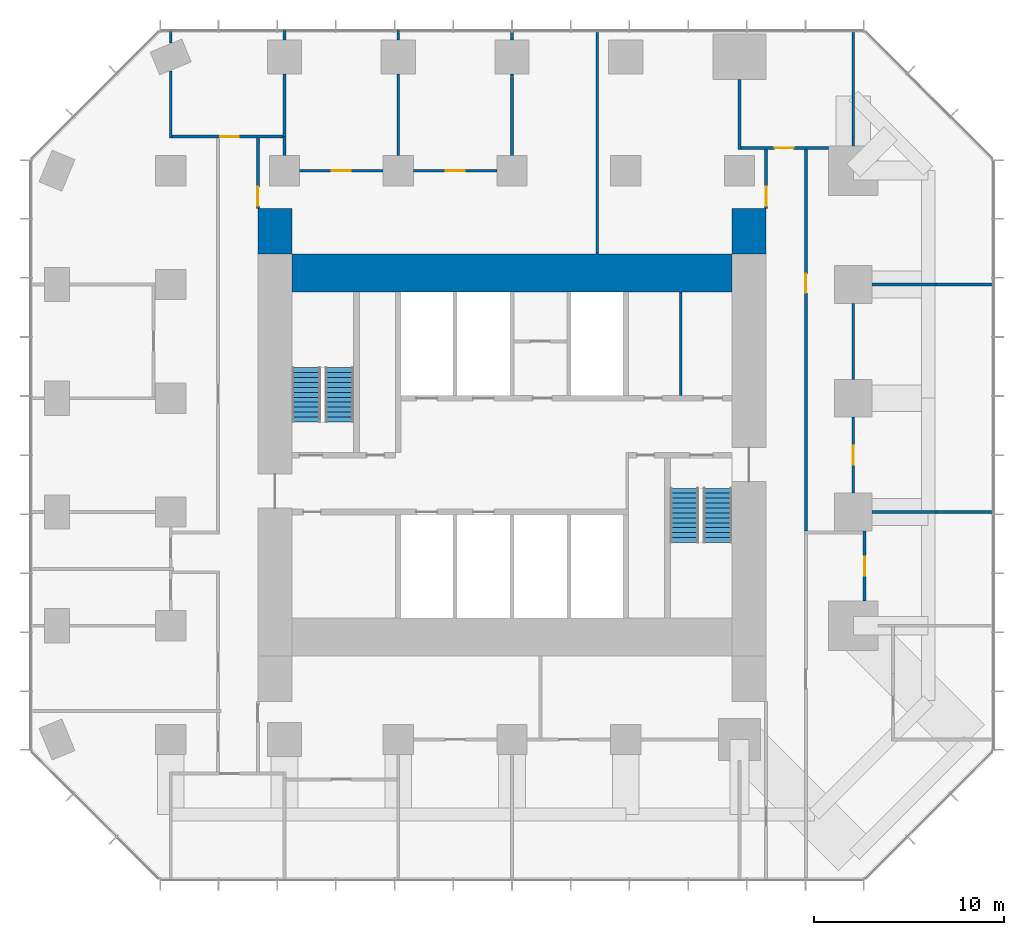
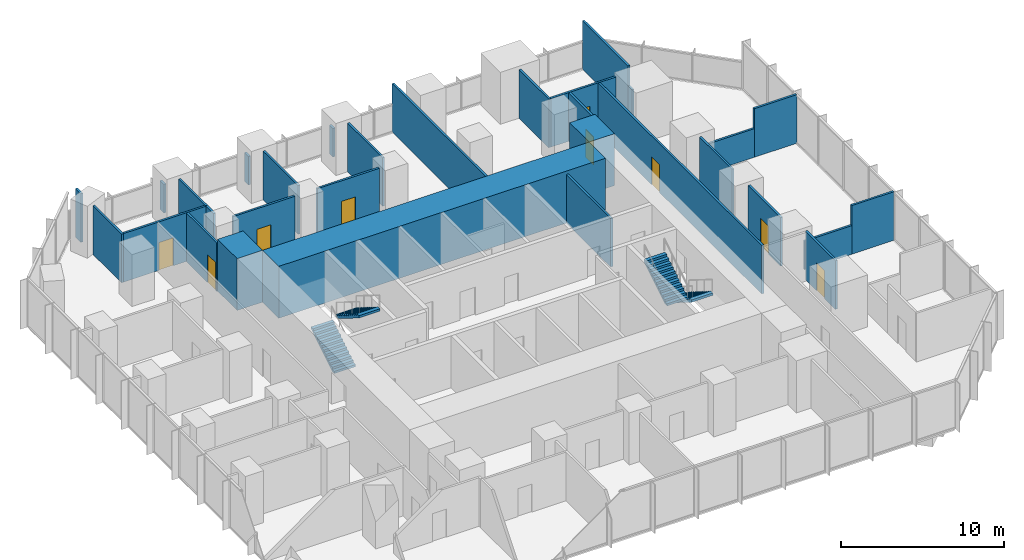
# One storey, part 11 of 12: 31 walls, 9 doors, 4 stair flights, 9 openings, 2 elements without a shape of their own.
"""IFC4 building model written with IfcOpenShell, lengths in metres."""

import ifcopenshell
import ifcopenshell.guid

model = None  # the IFC model being written
_history = None  # IfcOwnerHistory: only IFC2X3 demands one
_inside = {}  # id of a spatial element -> (the spatial element, [elements in it])
_under = {}  # id of a project, library or spatial element -> (it, [spatial elements below it])
_declared = {}  # id of a project -> (the project, [libraries it declares])
_typed = {}  # id of a type object -> (the type object, [elements of that type])
_made_of = {}  # id of a material, layer set ... -> (it, [elements and type objects made of it])


def new_model(schema):
    """Start an empty IFC model of exactly this schema.

    Asked for "IFC4X3", IfcOpenShell would pick the latest addendum, in which some entities
    have other attributes; the version numbers below select the first issue.
    IFC2X3 requires an IfcOwnerHistory on every rooted entity: one is made here for all.
    """
    global model, _history
    if schema == "IFC4X3":
        model = ifcopenshell.file(schema_version=(4, 3, 0, 0))
    else:
        model = ifcopenshell.file(schema=schema)
    _inside.clear()
    _under.clear()
    _declared.clear()
    _typed.clear()
    _made_of.clear()
    _history = None
    if model.schema == "IFC2X3":
        org = make("IfcOrganization", Name="unknown")
        user = make(
            "IfcPersonAndOrganization",
            ThePerson=make("IfcPerson", FamilyName="unknown"),
            TheOrganization=org,
        )
        app = make(
            "IfcApplication",
            ApplicationDeveloper=org,
            Version="unknown",
            ApplicationFullName="unknown",
            ApplicationIdentifier="unknown",
        )
        _history = make(
            "IfcOwnerHistory",
            OwningUser=user,
            OwningApplication=app,
            ChangeAction="ADDED",
            CreationDate=0,
        )
    return model


def make(cls, **values):
    """One entity of the class cls with the attributes given. An attribute that is None is left unset."""
    return model.create_entity(
        cls, **{name: value for name, value in values.items() if value is not None}
    )


def rooted(cls, **values):
    """An entity with a GlobalId (a new one), such as an element, a storey or a relation."""
    return make(cls, GlobalId=ifcopenshell.guid.new(), OwnerHistory=_history, **values)


def si_unit(unit_type, name, prefix=None):
    """IfcSIUnit, for example si_unit("LENGTHUNIT", "METRE", prefix="MILLI")."""
    return make("IfcSIUnit", UnitType=unit_type, Prefix=prefix, Name=name)


def assignment(units):
    """IfcUnitAssignment: the units of a project."""
    return None if units is None else make("IfcUnitAssignment", Units=units)


def point(xyz):
    """IfcCartesianPoint."""
    return None if xyz is None else make("IfcCartesianPoint", Coordinates=xyz)


def direction(xyz):
    """IfcDirection."""
    return None if xyz is None else make("IfcDirection", DirectionRatios=xyz)


def frame(location, z_axis=None, x_axis=None):
    """IfcAxis2Placement3D, a coordinate frame: its origin and axes. An axis left out is left unset."""
    return make(
        "IfcAxis2Placement3D",
        Location=point(location),
        Axis=direction(z_axis),
        RefDirection=direction(x_axis),
    )


def frame_2d(location, x_axis=None):
    """IfcAxis2Placement2D, a coordinate frame in the plane: its origin and x axis."""
    return make(
        "IfcAxis2Placement2D", Location=point(location), RefDirection=direction(x_axis)
    )


def origin():
    """The frame at (0, 0, 0) with its axes left unset."""
    return frame((0.0, 0.0, 0.0))


def place(relative_to, where):
    """IfcLocalPlacement: puts the frame where relative to a parent placement (None: the world)."""
    return make(
        "IfcLocalPlacement", PlacementRelTo=relative_to, RelativePlacement=where
    )


def context(
    kind, dimensions, precision=None, world=None, true_north=None, identifier=None
):
    """IfcGeometricRepresentationContext, for example the 3D "Model" context."""
    return make(
        "IfcGeometricRepresentationContext",
        ContextIdentifier=identifier,
        ContextType=kind,
        CoordinateSpaceDimension=dimensions,
        Precision=precision,
        WorldCoordinateSystem=world,
        TrueNorth=true_north,
    )


def subcontext(parent, identifier, kind, view, scale=None):
    """IfcGeometricRepresentationSubContext, for example "Body" below "Model"."""
    return make(
        "IfcGeometricRepresentationSubContext",
        ContextIdentifier=identifier,
        ContextType=kind,
        ParentContext=parent,
        TargetScale=scale,
        TargetView=view,
    )


def project(units=None, contexts=None):
    """IfcProject with its units and contexts."""
    return rooted(
        "IfcProject",
        Name="project",
        RepresentationContexts=contexts,
        UnitsInContext=assignment(units),
    )


def spatial(cls, under=None, at=None, **own):
    """A site, building, storey or space (cls), placed at a placement, below another one or the project."""
    s = rooted(cls, ObjectPlacement=at, **own)
    if under is not None:
        _under.setdefault(under.id(), (under, []))[1].append(s)
    return s


def polyline(points):
    """IfcPolyline through the points."""
    return make("IfcPolyline", Points=[point(p) for p in points])


def profile(cls, at=None, kind="AREA", **sizes):
    """A parametric profile (cls). Its sizes go by their IFC names, for example OverallWidth=200.0."""
    return make(cls, ProfileType=kind, Position=at, **sizes)


def rectangle(**sizes):
    """IfcRectangleProfileDef."""
    return profile("IfcRectangleProfileDef", **sizes)


def outline(outer, holes=None, kind="AREA"):
    """IfcArbitraryClosedProfileDef: a profile drawn as a closed curve; with holes, ...WithVoids."""
    if holes is None:
        return make("IfcArbitraryClosedProfileDef", ProfileType=kind, OuterCurve=outer)
    return make(
        "IfcArbitraryProfileDefWithVoids",
        ProfileType=kind,
        OuterCurve=outer,
        InnerCurves=holes,
    )


def extrude(swept, where, along, depth):
    """IfcExtrudedAreaSolid: the profile swept, set in the frame where, extruded along a direction by depth."""
    return make(
        "IfcExtrudedAreaSolid",
        SweptArea=swept,
        Position=where,
        ExtrudedDirection=direction(along),
        Depth=depth,
    )


def shape(context_of_items, identifier, shape_type, items):
    """IfcShapeRepresentation: the items that make up one representation, for example the "Body"."""
    return make(
        "IfcShapeRepresentation",
        ContextOfItems=context_of_items,
        RepresentationIdentifier=identifier,
        RepresentationType=shape_type,
        Items=items,
    )


def material(Name=None, Category=None):
    """IfcMaterial."""
    return make("IfcMaterial", Name=Name, Category=Category)


def layer(
    of_material, thickness, ventilated=None, Name=None, Category=None, Priority=None
):
    """IfcMaterialLayer: one layer of a wall or slab, of a material (None: an air gap)."""
    return make(
        "IfcMaterialLayer",
        Material=of_material,
        LayerThickness=thickness,
        IsVentilated=ventilated,
        Name=Name,
        Category=Category,
        Priority=Priority,
    )


def layer_set(layers, Name=None):
    """IfcMaterialLayerSet."""
    return make("IfcMaterialLayerSet", MaterialLayers=layers, LayerSetName=Name)


def made_of(thing, what):
    """Note that an element or type object is made of a material, layer set ...; save() writes the relation."""
    if what is not None:
        _made_of.setdefault(what.id(), (what, []))[1].append(thing)
    return thing


def type_object(cls, material=None, **own):
    """A type object (cls), such as IfcWallType, which elements share."""
    return made_of(rooted(cls, **own), material)


def element(
    cls,
    number,
    at=None,
    inside=None,
    cuts=None,
    type_object=None,
    material=None,
    context=None,
    identifier="Body",
    shape_type=None,
    held_by="IfcProductDefinitionShape",
    body=None,
    shapes=None,
    **own,
):
    """One element of the class cls, such as IfcWall. Its Tag is "e" and its number.

    at: its placement. inside: the storey or other place that contains it. cuts: it is an
    opening in that element (IfcRelVoidsElement). A single representation is given by context,
    identifier, shape_type and body (its items); several are given by shapes. held_by: the class
    of the entity that holds the representations. save() writes the other relations.
    """
    e = rooted(cls, Tag="e%d" % number, ObjectPlacement=at, **own)
    if body is not None:
        shapes = [shape(context, identifier, shape_type, body)]
    if shapes is not None:
        e.Representation = make(held_by, Representations=shapes)
    if inside is not None:
        _inside.setdefault(inside.id(), (inside, []))[1].append(e)
    if cuts is not None:
        rooted(
            "IfcRelVoidsElement", RelatingBuildingElement=cuts, RelatedOpeningElement=e
        )
    if type_object is not None:
        _typed.setdefault(type_object.id(), (type_object, []))[1].append(e)
    return made_of(e, material)


def fill(opening, filler):
    """IfcRelFillsElement: the door or window that sits in an opening."""
    return rooted(
        "IfcRelFillsElement",
        RelatingOpeningElement=opening,
        RelatedBuildingElement=filler,
    )


def aggregate(whole, parts):
    """IfcRelAggregates: a whole, such as a stair, and the parts it consists of."""
    return rooted("IfcRelAggregates", RelatingObject=whole, RelatedObjects=parts)


def save(model, path):
    """Write the relations noted so far, then the file.

    IfcRelAggregates (storeys below a building ...), IfcRelContainedInSpatialStructure (elements
    in a storey), IfcRelDefinesByType, IfcRelAssociatesMaterial and IfcRelDeclares: one each for
    every whole, place, type object, material and project.
    """
    for whole, parts in _under.values():
        aggregate(whole, parts)
    for where, things in _inside.values():
        rooted(
            "IfcRelContainedInSpatialStructure",
            RelatedElements=things,
            RelatingStructure=where,
        )
    for kind, things in _typed.values():
        rooted("IfcRelDefinesByType", RelatedObjects=things, RelatingType=kind)
    for what, things in _made_of.values():
        rooted("IfcRelAssociatesMaterial", RelatedObjects=things, RelatingMaterial=what)
    for by, libraries in _declared.values():
        rooted("IfcRelDeclares", RelatingContext=by, RelatedDefinitions=libraries)
    model.write(path)


model = new_model("IFC4")

# Units and contexts
model_context = context("Model", 3, precision=1e-05, world=origin(), true_north=direction((0.0, 1.0)))
body_context = subcontext(model_context, "Body", "Model", "MODEL_VIEW")
ifc_project = project(units=[si_unit("LENGTHUNIT", "METRE"), si_unit("AREAUNIT", "SQUARE_METRE"), si_unit("VOLUMEUNIT", "CUBIC_METRE"), si_unit("PLANEANGLEUNIT", "RADIAN"), si_unit("MASSUNIT", "GRAM", prefix="KILO")], contexts=[model_context])

# Site, building, storey
site_placement = place(None, origin())
site = spatial("IfcSite", under=ifc_project, at=site_placement, CompositionType="ELEMENT")
building_placement = place(site_placement, origin())
building = spatial("IfcBuilding", under=site, at=building_placement, Name="Highveld Stack Headquarters", CompositionType="ELEMENT")
storey_placement = place(building_placement, frame((0.0, 0.0, 160.10009765625)))
storey = spatial("IfcBuildingStorey", under=building, at=storey_placement, Name="L39", CompositionType="ELEMENT", Elevation=160.10009765625)

# Walls
ifc_material_1 = material(Name="Concrete C60/75", Category="concrete")
ifc_layer_1 = layer(ifc_material_1, 2.0)
ifc_layer_set_1 = layer_set([ifc_layer_1], Name="Concrete C60/75")
wall_type_1 = type_object("IfcWallType", Name="CORE WALL 2000 C60/75", PredefinedType="SHEAR", material=ifc_layer_set_1)
wall_1_placement = place(storey_placement, frame((-5.60009765625, 12.60009765625, 0.0), z_axis=(0.0, 0.0, 1.0), x_axis=(1.0, 0.0, 0.0)))
element("IfcWall", 1, at=wall_1_placement, inside=storey, type_object=wall_type_1, Name="Core wall N L39", PredefinedType="SHEAR", context=body_context, shape_type="SweptSolid", body=[
    extrude(rectangle(XDim=23.2001953125, YDim=2.0, at=frame_2d((11.60009765625, 0.0))), origin(), (0.0, 0.0, 1.0), 3.89990234375),
])
ifc_material_2 = material(Name="Concrete C60/75", Category="concrete")
ifc_layer_2 = layer(ifc_material_2, 1.800048828125)
ifc_layer_set_2 = layer_set([ifc_layer_2], Name="Concrete C60/75")
wall_type_2 = type_object("IfcWallType", Name="CORE WING WALL 1800 C60/75", PredefinedType="SHEAR", material=ifc_layer_set_2)
for number, where, z_axis, x_axis, name in (
    (2, (-6.5, 13.60009765625, 0.0), (0.0, 0.0, 1.0), (0.0, 1.0, 0.0), "Core wing wall WN L39"),
    (3, (18.5, 13.60009765625, 0.0), (0.0, 0.0, 1.0), (0.0, 1.0, 0.0), "Core wing wall EN L39"),
):
    element("IfcWall", number, at=place(storey_placement, frame(where, z_axis=z_axis, x_axis=x_axis)), inside=storey, type_object=wall_type_2, Name=name, PredefinedType="SHEAR", context=body_context, shape_type="SweptSolid", body=[
        extrude(rectangle(XDim=2.39990234375, YDim=1.800048828125, at=frame_2d((1.199951171875, 0.0))), origin(), (0.0, 0.0, 1.0), 3.89990234375),
    ])

# Wall, opening, door
ifc_material_3 = material(Name="Laminated glass in aluminium frame", Category="aluminium")
ifc_layer_3 = layer(ifc_material_3, 0.14990234375)
ifc_layer_set_3 = layer_set([ifc_layer_3], Name="Laminated glass in aluminium frame")
wall_type_3 = type_object("IfcWallType", Name="GLAZED PARTITION 150", PredefinedType="PARTITIONING", material=ifc_layer_set_3)
wall_2_placement = place(storey_placement, frame((24.60009765625, -4.699951171875, 0.0), z_axis=(0.0, 0.0, 1.0), x_axis=(0.0, 1.0, 0.0)))
wall_2 = element("IfcWall", 4, at=wall_2_placement, inside=storey, type_object=wall_type_3, Name="Glazed partition Video conference room L39", PredefinedType="PARTITIONING", context=body_context, shape_type="SweptSolid", body=[
    extrude(rectangle(XDim=3.699951171875, YDim=0.14990234375, at=frame_2d((1.85009765625, 0.0))), origin(), (0.0, 0.0, 1.0), 3.64990234375),
])
opening_1_placement = place(wall_2_placement, frame((1.35009765625, 0.0, 0.0)))
opening_1 = element("IfcOpeningElement", 5, at=opening_1_placement, cuts=wall_2, Name="Opening L39-20", PredefinedType="OPENING", context=body_context, shape_type="SweptSolid", body=[
    extrude(rectangle(XDim=1.0, YDim=2.10009765625, at=frame_2d((0.5, 1.050048828125))), frame((0.0, 0.0849609375, 0.0), z_axis=(0.0, -1.0, 0.0), x_axis=(1.0, 0.0, 0.0)), (0.0, 0.0, 1.0), 0.169921875),
])
ifc_material_4 = material(Name="Timber door, oiled ash", Category="wood")
door_type = type_object("IfcDoorType", Name="ROOM DOOR D6 1000x2100", OperationType="SINGLE_SWING_LEFT", PredefinedType="DOOR", material=ifc_material_4)
door_1_placement = place(opening_1_placement, origin())
door_1 = element("IfcDoor", 6, at=door_1_placement, inside=storey, type_object=door_type, Name="Video conference room door 1 L39", OperationType="SINGLE_SWING_LEFT", OverallHeight=2.10009765625, OverallWidth=1.0, PredefinedType="DOOR", context=body_context, shape_type="SweptSolid", body=[
    extrude(rectangle(XDim=1.0, YDim=2.10009765625, at=frame_2d((0.5, 1.050048828125))), frame((0.0, 0.02490234375, 0.0), z_axis=(0.0, -1.0, 0.0), x_axis=(1.0, 0.0, 0.0)), (0.0, 0.0, 1.0), 0.050048828125),
])
fill(opening_1, door_1)

# Walls
ifc_material_5 = material(Name="Gypsum plasterboard on steel studs", Category="steel")
ifc_layer_4 = layer(ifc_material_5, 0.14990234375)
ifc_layer_set_4 = layer_set([ifc_layer_4], Name="Gypsum plasterboard on steel studs")
wall_type_4 = type_object("IfcWallType", Name="PARTITION 150 PLASTERBOARD", PredefinedType="PARTITIONING", material=ifc_layer_set_4)
wall_3_placement = place(storey_placement, frame((25.0, 0.0, 0.0), z_axis=(0.0, 0.0, 1.0), x_axis=(1.0, 0.0, 0.0)))
element("IfcWall", 7, at=wall_3_placement, inside=storey, type_object=wall_type_4, Name="Partition Team office / Video conference room L39", PredefinedType="PARTITIONING", context=body_context, shape_type="SweptSolid", body=[
    extrude(rectangle(XDim=3.360107421875, YDim=0.14990234375, at=frame_2d((1.68017578125, 0.0))), origin(), (0.0, 0.0, 1.0), 2.14990234375),
])
wall_4_placement = place(storey_placement, frame((28.360107421875, 0.0, 0.0), z_axis=(0.0, 0.0, 1.0), x_axis=(1.0, 0.0, 0.0)))
element("IfcWall", 8, at=wall_4_placement, inside=storey, type_object=wall_type_4, Name="Partition Team office / Video conference room L39", PredefinedType="PARTITIONING", context=body_context, shape_type="SweptSolid", body=[
    extrude(rectangle(XDim=2.989990234375, YDim=0.14990234375, at=frame_2d((1.4951171875, 0.0))), origin(), (0.0, 0.0, 1.0), 3.64990234375),
])
wall_5_placement = place(storey_placement, frame((25.0, 12.0, 0.0), z_axis=(0.0, 0.0, 1.0), x_axis=(1.0, 0.0, 0.0)))
element("IfcWall", 9, at=wall_5_placement, inside=storey, type_object=wall_type_4, Name="Partition Team office L39", PredefinedType="PARTITIONING", context=body_context, shape_type="SweptSolid", body=[
    extrude(rectangle(XDim=3.360107421875, YDim=0.14990234375, at=frame_2d((1.68017578125, 0.0))), origin(), (0.0, 0.0, 1.0), 2.14990234375),
])
wall_6_placement = place(storey_placement, frame((28.360107421875, 12.0, 0.0), z_axis=(0.0, 0.0, 1.0), x_axis=(1.0, 0.0, 0.0)))
element("IfcWall", 10, at=wall_6_placement, inside=storey, type_object=wall_type_4, Name="Partition Team office L39", PredefinedType="PARTITIONING", context=body_context, shape_type="SweptSolid", body=[
    extrude(rectangle(XDim=3.039794921875, YDim=0.14990234375, at=frame_2d((1.52001953125, 0.0))), origin(), (0.0, 0.0, 1.0), 3.64990234375),
])

# Wall, opening, door
wall_7_placement = place(storey_placement, frame((-5.199951171875, 18.0, 0.0), z_axis=(0.0, 0.0, 1.0), x_axis=(1.0, 0.0, 0.0)))
wall_7 = element("IfcWall", 11, at=wall_7_placement, inside=storey, type_object=wall_type_4, Name="Partition Office L39", PredefinedType="PARTITIONING", context=body_context, shape_type="SweptSolid", body=[
    extrude(rectangle(XDim=4.39990234375, YDim=0.14990234375, at=frame_2d((2.199951171875, 0.0))), origin(), (0.0, 0.0, 1.0), 3.64990234375),
])
opening_2_placement = place(wall_7_placement, frame((1.699951171875, 0.0, 0.0)))
opening_2 = element("IfcOpeningElement", 12, at=opening_2_placement, cuts=wall_7, Name="Opening L39-23", PredefinedType="OPENING", context=body_context, shape_type="SweptSolid", body=[
    extrude(rectangle(XDim=1.0, YDim=2.10009765625, at=frame_2d((0.5, 1.050048828125))), frame((0.0, 0.0849609375, 0.0), z_axis=(0.0, -1.0, 0.0), x_axis=(1.0, 0.0, 0.0)), (0.0, 0.0, 1.0), 0.169921875),
])
door_2_placement = place(opening_2_placement, origin())
door_2 = element("IfcDoor", 13, at=door_2_placement, inside=storey, type_object=door_type, Name="Office door 1 L39", OperationType="SINGLE_SWING_LEFT", OverallHeight=2.10009765625, OverallWidth=1.0, PredefinedType="DOOR", context=body_context, shape_type="SweptSolid", body=[
    extrude(rectangle(XDim=1.0, YDim=2.10009765625, at=frame_2d((0.5, 1.050048828125))), frame((0.0, 0.02490234375, 0.0), z_axis=(0.0, -1.0, 0.0), x_axis=(1.0, 0.0, 0.0)), (0.0, 0.0, 1.0), 0.050048828125),
])
fill(opening_2, door_2)

wall_8_placement = place(storey_placement, frame((0.800048828125, 18.0, 0.0), z_axis=(0.0, 0.0, 1.0), x_axis=(1.0, 0.0, 0.0)))
wall_8 = element("IfcWall", 14, at=wall_8_placement, inside=storey, type_object=wall_type_4, Name="Partition Office L39", PredefinedType="PARTITIONING", context=body_context, shape_type="SweptSolid", body=[
    extrude(rectangle(XDim=4.39990234375, YDim=0.14990234375, at=frame_2d((2.199951171875, 0.0))), origin(), (0.0, 0.0, 1.0), 3.64990234375),
])
opening_3_placement = place(wall_8_placement, frame((1.699951171875, 0.0, 0.0)))
opening_3 = element("IfcOpeningElement", 15, at=opening_3_placement, cuts=wall_8, Name="Opening L39-24", PredefinedType="OPENING", context=body_context, shape_type="SweptSolid", body=[
    extrude(rectangle(XDim=1.0, YDim=2.10009765625, at=frame_2d((0.5, 1.050048828125))), frame((0.0, 0.0849609375, 0.0), z_axis=(0.0, -1.0, 0.0), x_axis=(1.0, 0.0, 0.0)), (0.0, 0.0, 1.0), 0.169921875),
])
door_3_placement = place(opening_3_placement, origin())
door_3 = element("IfcDoor", 16, at=door_3_placement, inside=storey, type_object=door_type, Name="Office door 1 L39", OperationType="SINGLE_SWING_RIGHT", OverallHeight=2.10009765625, OverallWidth=1.0, PredefinedType="DOOR", context=body_context, shape_type="SweptSolid", body=[
    extrude(rectangle(XDim=1.0, YDim=2.10009765625, at=frame_2d((0.5, 1.050048828125))), frame((0.0, 0.02490234375, 0.0), z_axis=(0.0, -1.0, 0.0), x_axis=(1.0, 0.0, 0.0)), (0.0, 0.0, 1.0), 0.050048828125),
])
fill(opening_3, door_3)

wall_9_placement = place(storey_placement, frame((18.074951171875, 19.199951171875, 0.0), z_axis=(0.0, 0.0, 1.0), x_axis=(1.0, 0.0, 0.0)))
wall_9 = element("IfcWall", 17, at=wall_9_placement, inside=storey, type_object=wall_type_4, Name="Partition Tea kitchen L39", PredefinedType="PARTITIONING", context=body_context, shape_type="SweptSolid", body=[
    extrude(rectangle(XDim=4.625, YDim=0.14990234375, at=frame_2d((2.3125, 0.0))), origin(), (0.0, 0.0, 1.0), 3.64990234375),
])
opening_4_placement = place(wall_9_placement, frame((1.77490234375, 0.0, 0.0)))
opening_4 = element("IfcOpeningElement", 18, at=opening_4_placement, cuts=wall_9, Name="Opening L39-25", PredefinedType="OPENING", context=body_context, shape_type="SweptSolid", body=[
    extrude(rectangle(XDim=1.0, YDim=2.10009765625, at=frame_2d((0.5, 1.050048828125))), frame((0.0, 0.0849609375, 0.0), z_axis=(0.0, -1.0, 0.0), x_axis=(1.0, 0.0, 0.0)), (0.0, 0.0, 1.0), 0.169921875),
])
door_4_placement = place(opening_4_placement, origin())
door_4 = element("IfcDoor", 19, at=door_4_placement, inside=storey, type_object=door_type, Name="Tea kitchen door 1 L39", OperationType="SINGLE_SWING_LEFT", OverallHeight=2.10009765625, OverallWidth=1.0, PredefinedType="DOOR", context=body_context, shape_type="SweptSolid", body=[
    extrude(rectangle(XDim=1.0, YDim=2.10009765625, at=frame_2d((0.5, 1.050048828125))), frame((0.0, 0.02490234375, 0.0), z_axis=(0.0, -1.0, 0.0), x_axis=(1.0, 0.0, 0.0)), (0.0, 0.0, 1.0), 0.050048828125),
])
fill(opening_4, door_4)

wall_10_placement = place(storey_placement, frame((-11.925048828125, 19.800048828125, 0.0), z_axis=(0.0, 0.0, 1.0), x_axis=(1.0, 0.0, 0.0)))
wall_10 = element("IfcWall", 20, at=wall_10_placement, inside=storey, type_object=wall_type_4, Name="Partition Print room L39", PredefinedType="PARTITIONING", context=body_context, shape_type="SweptSolid", body=[
    extrude(rectangle(XDim=5.85009765625, YDim=0.14990234375, at=frame_2d((2.925048828125, 0.0))), origin(), (0.0, 0.0, 1.0), 3.64990234375),
])
opening_5_placement = place(wall_10_placement, frame((2.52490234375, 0.0, 0.0)))
opening_5 = element("IfcOpeningElement", 21, at=opening_5_placement, cuts=wall_10, Name="Opening L39-22", PredefinedType="OPENING", context=body_context, shape_type="SweptSolid", body=[
    extrude(rectangle(XDim=1.0, YDim=2.10009765625, at=frame_2d((0.5, 1.050048828125))), frame((0.0, 0.0849609375, 0.0), z_axis=(0.0, -1.0, 0.0), x_axis=(1.0, 0.0, 0.0)), (0.0, 0.0, 1.0), 0.169921875),
])
door_5_placement = place(opening_5_placement, origin())
door_5 = element("IfcDoor", 22, at=door_5_placement, inside=storey, type_object=door_type, Name="Print room door 1 L39", OperationType="SINGLE_SWING_RIGHT", OverallHeight=2.10009765625, OverallWidth=1.0, PredefinedType="DOOR", context=body_context, shape_type="SweptSolid", body=[
    extrude(rectangle(XDim=1.0, YDim=2.10009765625, at=frame_2d((0.5, 1.050048828125))), frame((0.0, 0.02490234375, 0.0), z_axis=(0.0, -1.0, 0.0), x_axis=(1.0, 0.0, 0.0)), (0.0, 0.0, 1.0), 0.050048828125),
])
fill(opening_5, door_5)

# Walls
wall_11_placement = place(storey_placement, frame((-12.0, 19.72509765625, 0.0), z_axis=(0.0, 0.0, 1.0), x_axis=(0.0, 1.0, 0.0)))
element("IfcWall", 23, at=wall_11_placement, inside=storey, type_object=wall_type_4, Name="Partition Print room L39", PredefinedType="PARTITIONING", context=body_context, shape_type="SweptSolid", body=[
    extrude(rectangle(XDim=3.540283203125, YDim=0.14990234375, at=frame_2d((1.77001953125, 0.0))), origin(), (0.0, 0.0, 1.0), 3.64990234375),
])
wall_12_placement = place(storey_placement, frame((-12.0, 24.734619140625, 0.0), z_axis=(0.0, 0.0, 1.0), x_axis=(0.0, 1.0, 0.0)))
element("IfcWall", 24, at=wall_12_placement, inside=storey, type_object=wall_type_4, Name="Partition Print room L39", PredefinedType="PARTITIONING", context=body_context, shape_type="SweptSolid", body=[
    extrude(rectangle(XDim=0.665283203125, YDim=0.14990234375, at=frame_2d((0.33251953125, 0.0))), origin(), (0.0, 0.0, 1.0), 3.64990234375),
])
wall_13_placement = place(storey_placement, frame((-6.0, 18.800048828125, 0.0), z_axis=(0.0, 0.0, 1.0), x_axis=(0.0, 1.0, 0.0)))
element("IfcWall", 25, at=wall_13_placement, inside=storey, type_object=wall_type_4, Name="Partition Office L39", PredefinedType="PARTITIONING", context=body_context, shape_type="SweptSolid", body=[
    extrude(rectangle(XDim=1.0, YDim=0.14990234375, at=frame_2d((0.5, 0.0))), origin(), (0.0, 0.0, 1.0), 3.64990234375),
])
wall_14_placement = place(storey_placement, frame((-6.0, 19.800048828125, 0.0), z_axis=(0.0, 0.0, 1.0), x_axis=(0.0, 1.0, 0.0)))
element("IfcWall", 26, at=wall_14_placement, inside=storey, type_object=wall_type_4, Name="Partition Office / Print room L39", PredefinedType="PARTITIONING", context=body_context, shape_type="SweptSolid", body=[
    extrude(rectangle(XDim=3.300048828125, YDim=0.14990234375, at=frame_2d((1.64990234375, 0.0))), origin(), (0.0, 0.0, 1.0), 3.64990234375),
])
wall_15_placement = place(storey_placement, frame((-6.0, 24.89990234375, 0.0), z_axis=(0.0, 0.0, 1.0), x_axis=(0.0, 1.0, 0.0)))
element("IfcWall", 27, at=wall_15_placement, inside=storey, type_object=wall_type_4, Name="Partition Office / Print room L39", PredefinedType="PARTITIONING", context=body_context, shape_type="SweptSolid", body=[
    extrude(rectangle(XDim=0.5, YDim=0.14990234375, at=frame_2d((0.25, 0.0))), origin(), (0.0, 0.0, 1.0), 2.14990234375),
])
wall_16_placement = place(storey_placement, frame((0.0, 18.800048828125, 0.0), z_axis=(0.0, 0.0, 1.0), x_axis=(0.0, 1.0, 0.0)))
element("IfcWall", 28, at=wall_16_placement, inside=storey, type_object=wall_type_4, Name="Partition Office L39", PredefinedType="PARTITIONING", context=body_context, shape_type="SweptSolid", body=[
    extrude(rectangle(XDim=4.300048828125, YDim=0.14990234375, at=frame_2d((2.14990234375, 0.0))), origin(), (0.0, 0.0, 1.0), 3.64990234375),
])
wall_17_placement = place(storey_placement, frame((0.0, 24.89990234375, 0.0), z_axis=(0.0, 0.0, 1.0), x_axis=(0.0, 1.0, 0.0)))
element("IfcWall", 29, at=wall_17_placement, inside=storey, type_object=wall_type_4, Name="Partition Office L39", PredefinedType="PARTITIONING", context=body_context, shape_type="SweptSolid", body=[
    extrude(rectangle(XDim=0.5, YDim=0.14990234375, at=frame_2d((0.25, 0.0))), origin(), (0.0, 0.0, 1.0), 2.14990234375),
])
wall_18_placement = place(storey_placement, frame((6.0, 18.800048828125, 0.0), z_axis=(0.0, 0.0, 1.0), x_axis=(0.0, 1.0, 0.0)))
element("IfcWall", 30, at=wall_18_placement, inside=storey, type_object=wall_type_4, Name="Partition Office L39", PredefinedType="PARTITIONING", context=body_context, shape_type="SweptSolid", body=[
    extrude(rectangle(XDim=4.300048828125, YDim=0.14990234375, at=frame_2d((2.14990234375, 0.0))), origin(), (0.0, 0.0, 1.0), 3.64990234375),
])
wall_19_placement = place(storey_placement, frame((6.0, 24.89990234375, 0.0), z_axis=(0.0, 0.0, 1.0), x_axis=(0.0, 1.0, 0.0)))
element("IfcWall", 31, at=wall_19_placement, inside=storey, type_object=wall_type_4, Name="Partition Office L39", PredefinedType="PARTITIONING", context=body_context, shape_type="SweptSolid", body=[
    extrude(rectangle(XDim=0.4501953125, YDim=0.14990234375, at=frame_2d((0.22509765625, 0.0))), origin(), (0.0, 0.0, 1.0), 2.14990234375),
])
wall_20_placement = place(storey_placement, frame((18.0, 19.125, 0.0), z_axis=(0.0, 0.0, 1.0), x_axis=(0.0, 1.0, 0.0)))
element("IfcWall", 32, at=wall_20_placement, inside=storey, type_object=wall_type_4, Name="Partition Tea kitchen L39", PredefinedType="PARTITIONING", context=body_context, shape_type="SweptSolid", body=[
    extrude(rectangle(XDim=3.675048828125, YDim=0.14990234375, at=frame_2d((1.83740234375, 0.0))), origin(), (0.0, 0.0, 1.0), 3.64990234375),
])

# Wall, opening, door
wall_21_placement = place(storey_placement, frame((24.0, 1.0, 0.0), z_axis=(0.0, 0.0, 1.0), x_axis=(0.0, 1.0, 0.0)))
wall_21 = element("IfcWall", 33, at=wall_21_placement, inside=storey, type_object=wall_type_4, Name="Partition Team office L39", PredefinedType="PARTITIONING", context=body_context, shape_type="SweptSolid", body=[
    extrude(rectangle(XDim=4.0, YDim=0.14990234375, at=frame_2d((2.0, 0.0))), origin(), (0.0, 0.0, 1.0), 3.64990234375),
])
opening_6_placement = place(wall_21_placement, frame((1.5, 0.0, 0.0)))
opening_6 = element("IfcOpeningElement", 34, at=opening_6_placement, cuts=wall_21, Name="Opening L39-21", PredefinedType="OPENING", context=body_context, shape_type="SweptSolid", body=[
    extrude(rectangle(XDim=1.0, YDim=2.10009765625, at=frame_2d((0.5, 1.050048828125))), frame((0.0, 0.0849609375, 0.0), z_axis=(0.0, -1.0, 0.0), x_axis=(1.0, 0.0, 0.0)), (0.0, 0.0, 1.0), 0.169921875),
])
door_6_placement = place(opening_6_placement, origin())
door_6 = element("IfcDoor", 35, at=door_6_placement, inside=storey, type_object=door_type, Name="Team office door 1 L39", OperationType="SINGLE_SWING_LEFT", OverallHeight=2.10009765625, OverallWidth=1.0, PredefinedType="DOOR", context=body_context, shape_type="SweptSolid", body=[
    extrude(rectangle(XDim=1.0, YDim=2.10009765625, at=frame_2d((0.5, 1.050048828125))), frame((0.0, 0.02490234375, 0.0), z_axis=(0.0, -1.0, 0.0), x_axis=(1.0, 0.0, 0.0)), (0.0, 0.0, 1.0), 0.050048828125),
])
fill(opening_6, door_6)

# Walls
wall_22_placement = place(storey_placement, frame((24.0, 7.0, 0.0), z_axis=(0.0, 0.0, 1.0), x_axis=(0.0, 1.0, 0.0)))
element("IfcWall", 36, at=wall_22_placement, inside=storey, type_object=wall_type_4, Name="Partition Team office L39", PredefinedType="PARTITIONING", context=body_context, shape_type="SweptSolid", body=[
    extrude(rectangle(XDim=4.0, YDim=0.14990234375, at=frame_2d((2.0, 0.0))), origin(), (0.0, 0.0, 1.0), 3.64990234375),
])
wall_23_placement = place(storey_placement, frame((24.0, 19.300048828125, 0.0), z_axis=(0.0, 0.0, 1.0), x_axis=(0.0, 1.0, 0.0)))
element("IfcWall", 37, at=wall_23_placement, inside=storey, type_object=wall_type_4, Name="Partition Tea kitchen L39", PredefinedType="PARTITIONING", context=body_context, shape_type="SweptSolid", body=[
    extrude(rectangle(XDim=0.491943359375, YDim=0.14990234375, at=frame_2d((0.24609375, 0.0))), origin(), (0.0, 0.0, 1.0), 2.14990234375),
])
wall_24_placement = place(storey_placement, frame((24.0, 19.7919921875, 0.0), z_axis=(0.0, 0.0, 1.0), x_axis=(0.0, 1.0, 0.0)))
element("IfcWall", 38, at=wall_24_placement, inside=storey, type_object=wall_type_4, Name="Partition Tea kitchen L39", PredefinedType="PARTITIONING", context=body_context, shape_type="SweptSolid", body=[
    extrude(rectangle(XDim=5.597412109375, YDim=0.14990234375, at=frame_2d((2.798828125, 0.0))), origin(), (0.0, 0.0, 1.0), 3.64990234375),
])

# Wall, opening, door
wall_25_placement = place(storey_placement, frame((-7.39990234375, 16.0, 0.0), z_axis=(0.0, 0.0, 1.0), x_axis=(0.0, 1.0, 0.0)))
wall_25 = element("IfcWall", 39, at=wall_25_placement, inside=storey, type_object=wall_type_4, Name="Partition office neighbourhood L39", PredefinedType="PARTITIONING", context=body_context, shape_type="SweptSolid", body=[
    extrude(rectangle(XDim=3.72509765625, YDim=0.14990234375, at=frame_2d((1.862548828125, 0.0))), origin(), (0.0, 0.0, 1.0), 3.64990234375),
])
opening_7_placement = place(wall_25_placement, frame((0.14990234375, 0.0, 0.0)))
opening_7 = element("IfcOpeningElement", 40, at=opening_7_placement, cuts=wall_25, Name="Opening L39-32", PredefinedType="OPENING", context=body_context, shape_type="SweptSolid", body=[
    extrude(rectangle(XDim=1.0, YDim=2.10009765625, at=frame_2d((0.5, 1.050048828125))), frame((0.0, 0.0849609375, 0.0), z_axis=(0.0, -1.0, 0.0), x_axis=(1.0, 0.0, 0.0)), (0.0, 0.0, 1.0), 0.169921875),
])
door_7_placement = place(opening_7_placement, origin())
door_7 = element("IfcDoor", 41, at=door_7_placement, inside=storey, type_object=door_type, Name="Office neighbourhood door L39", OperationType="SINGLE_SWING_LEFT", OverallHeight=2.10009765625, OverallWidth=1.0, PredefinedType="DOOR", context=body_context, shape_type="SweptSolid", body=[
    extrude(rectangle(XDim=1.0, YDim=2.10009765625, at=frame_2d((0.5, 1.050048828125))), frame((0.0, 0.02490234375, 0.0), z_axis=(0.0, -1.0, 0.0), x_axis=(1.0, 0.0, 0.0)), (0.0, 0.0, 1.0), 0.050048828125),
])
fill(opening_7, door_7)

# Wall
wall_26_placement = place(storey_placement, frame((10.5, 13.60009765625, 0.0), z_axis=(0.0, 0.0, 1.0), x_axis=(0.0, 1.0, 0.0)))
element("IfcWall", 42, at=wall_26_placement, inside=storey, type_object=wall_type_4, Name="Partition office neighbourhood L39", PredefinedType="PARTITIONING", context=body_context, shape_type="SweptSolid", body=[
    extrude(rectangle(XDim=11.7998046875, YDim=0.14990234375, at=frame_2d((5.89990234375, 0.0))), origin(), (0.0, 0.0, 1.0), 3.64990234375),
])

# Wall, opening, door
wall_27_placement = place(storey_placement, frame((19.39990234375, 16.0, 0.0), z_axis=(0.0, 0.0, 1.0), x_axis=(0.0, 1.0, 0.0)))
wall_27 = element("IfcWall", 43, at=wall_27_placement, inside=storey, type_object=wall_type_4, Name="Partition office neighbourhood L39", PredefinedType="PARTITIONING", context=body_context, shape_type="SweptSolid", body=[
    extrude(rectangle(XDim=3.125, YDim=0.14990234375, at=frame_2d((1.5625, 0.0))), origin(), (0.0, 0.0, 1.0), 3.64990234375),
])
opening_8_placement = place(wall_27_placement, frame((0.14990234375, 0.0, 0.0)))
opening_8 = element("IfcOpeningElement", 44, at=opening_8_placement, cuts=wall_27, Name="Opening L39-33", PredefinedType="OPENING", context=body_context, shape_type="SweptSolid", body=[
    extrude(rectangle(XDim=1.0, YDim=2.10009765625, at=frame_2d((0.5, 1.050048828125))), frame((0.0, 0.0849609375, 0.0), z_axis=(0.0, -1.0, 0.0), x_axis=(1.0, 0.0, 0.0)), (0.0, 0.0, 1.0), 0.169921875),
])
door_8_placement = place(opening_8_placement, origin())
door_8 = element("IfcDoor", 45, at=door_8_placement, inside=storey, type_object=door_type, Name="Office neighbourhood door L39", OperationType="SINGLE_SWING_LEFT", OverallHeight=2.10009765625, OverallWidth=1.0, PredefinedType="DOOR", context=body_context, shape_type="SweptSolid", body=[
    extrude(rectangle(XDim=1.0, YDim=2.10009765625, at=frame_2d((0.5, 1.050048828125))), frame((0.0, 0.02490234375, 0.0), z_axis=(0.0, -1.0, 0.0), x_axis=(1.0, 0.0, 0.0)), (0.0, 0.0, 1.0), 0.050048828125),
])
fill(opening_8, door_8)

wall_28_placement = place(storey_placement, frame((21.5, -1.0, 0.0), z_axis=(0.0, 0.0, 1.0), x_axis=(0.0, 1.0, 0.0)))
wall_28 = element("IfcWall", 46, at=wall_28_placement, inside=storey, type_object=wall_type_4, Name="Partition office neighbourhood L39", PredefinedType="PARTITIONING", context=body_context, shape_type="SweptSolid", body=[
    extrude(rectangle(XDim=20.125, YDim=0.14990234375, at=frame_2d((10.0625, 0.0))), origin(), (0.0, 0.0, 1.0), 3.64990234375),
])
opening_9_placement = place(wall_28_placement, frame((12.554931640625, 0.0, 0.0)))
opening_9 = element("IfcOpeningElement", 47, at=opening_9_placement, cuts=wall_28, Name="Opening L39-31", PredefinedType="OPENING", context=body_context, shape_type="SweptSolid", body=[
    extrude(rectangle(XDim=1.0, YDim=2.10009765625, at=frame_2d((0.5, 1.050048828125))), frame((0.0, 0.0849609375, 0.0), z_axis=(0.0, -1.0, 0.0), x_axis=(1.0, 0.0, 0.0)), (0.0, 0.0, 1.0), 0.169921875),
])
door_9_placement = place(opening_9_placement, origin())
door_9 = element("IfcDoor", 48, at=door_9_placement, inside=storey, type_object=door_type, Name="Office neighbourhood door L39", OperationType="SINGLE_SWING_RIGHT", OverallHeight=2.10009765625, OverallWidth=1.0, PredefinedType="DOOR", context=body_context, shape_type="SweptSolid", body=[
    extrude(rectangle(XDim=1.0, YDim=2.10009765625, at=frame_2d((0.5, 1.050048828125))), frame((0.0, 0.02490234375, 0.0), z_axis=(0.0, -1.0, 0.0), x_axis=(1.0, 0.0, 0.0)), (0.0, 0.0, 1.0), 0.050048828125),
])
fill(opening_9, door_9)

# Wall
ifc_material_6 = material(Name="Concrete blockwork, tiled", Category="masonry")
ifc_layer_5 = layer(ifc_material_6, 0.14990234375)
ifc_layer_set_5 = layer_set([ifc_layer_5], Name="Concrete blockwork, tiled")
wall_type_5 = type_object("IfcWallType", Name="WC PARTITION 150", PredefinedType="PLUMBINGWALL", material=ifc_layer_set_5)
wall_29_placement = place(storey_placement, frame((14.89990234375, 6.14990234375, 0.0), z_axis=(0.0, 0.0, 1.0), x_axis=(0.0, 1.0, 0.0)))
element("IfcWall", 49, at=wall_29_placement, inside=storey, type_object=wall_type_5, Name="Toilet partition L39", PredefinedType="PLUMBINGWALL", context=body_context, shape_type="SweptSolid", body=[
    extrude(rectangle(XDim=5.4501953125, YDim=0.14990234375, at=frame_2d((2.72509765625, 0.0))), origin(), (0.0, 0.0, 1.0), 3.64990234375),
])

# Stair, stair flights
ifc_material_7 = material(Name="Concrete C40/50, precast", Category="concrete")
stair_type_1 = type_object("IfcStairType", Name="STAIR S1 HALF TURN 1500", PredefinedType="HALF_TURN_STAIR", material=ifc_material_7)
stair_1_placement = place(storey_placement, origin())
stair_1 = element("IfcStair", 50, at=stair_1_placement, inside=storey, type_object=stair_type_1, Name="Stair S1 L39", PredefinedType="HALF_TURN_STAIR")
ifc_material_8 = material(Name="Concrete C40/50, precast", Category="concrete")
stair_flight_type = type_object("IfcStairFlightType", Name="STAIR FLIGHT 1500 PRECAST", PredefinedType="STRAIGHT", material=ifc_material_8)
stair_flight_1_placement = place(storey_placement, frame((-4.85009765625, 4.75, 0.0), z_axis=(0.0, 0.0, 1.0), x_axis=(0.0, 1.0, 0.0)))
stair_flight_1 = element("IfcStairFlight", 51, at=stair_flight_1_placement, type_object=stair_flight_type, Name="S1 flight 1", NumberOfRisers=12, NumberOfTreads=11, PredefinedType="STRAIGHT", RiserHeight=0.1625, TreadLength=0.26, context=body_context, shape_type="SweptSolid", body=[
    extrude(outline(polyline([(0.0, 0.0), (0.0, 0.16259765625), (0.260009765625, 0.16259765625), (0.260009765625, 0.324951171875), (0.52001953125, 0.324951171875), (0.52001953125, 0.487548828125), (0.780029296875, 0.487548828125), (0.780029296875, 0.64990234375), (1.0400390625, 0.64990234375), (1.0400390625, 0.8125), (1.300048828125, 0.8125), (1.300048828125, 0.97509765625), (1.56005859375, 0.97509765625), (1.56005859375, 1.137451171875), (1.820068359375, 1.137451171875), (1.820068359375, 1.300048828125), (2.080078125, 1.300048828125), (2.080078125, 1.46240234375), (2.340087890625, 1.46240234375), (2.340087890625, 1.625), (2.60009765625, 1.625), (2.60009765625, 1.78759765625), (2.860107421875, 1.78759765625), (2.860107421875, 1.949951171875), (2.860107421875, 1.61083984375), (0.28271484375, 0.0), (0.0, 0.0)])), frame((0.0, 0.75, 0.0), z_axis=(0.0, -1.0, 0.0), x_axis=(1.0, 0.0, 0.0)), (0.0, 0.0, 1.0), 1.5),
])
stair_flight_2_placement = place(storey_placement, frame((-3.10009765625, 7.610107421875, 1.949951171875), z_axis=(0.0, 0.0, 1.0), x_axis=(0.0, -1.0, 0.0)))
stair_flight_2 = element("IfcStairFlight", 52, at=stair_flight_2_placement, type_object=stair_flight_type, Name="S1 flight 2", NumberOfRisers=12, NumberOfTreads=11, PredefinedType="STRAIGHT", RiserHeight=0.1625, TreadLength=0.26, context=body_context, shape_type="SweptSolid", body=[
    extrude(outline(polyline([(0.0, 0.0), (0.0, 0.16259765625), (0.260009765625, 0.16259765625), (0.260009765625, 0.324951171875), (0.52001953125, 0.324951171875), (0.52001953125, 0.487548828125), (0.780029296875, 0.487548828125), (0.780029296875, 0.64990234375), (1.0400390625, 0.64990234375), (1.0400390625, 0.8125), (1.300048828125, 0.8125), (1.300048828125, 0.97509765625), (1.56005859375, 0.97509765625), (1.56005859375, 1.137451171875), (1.820068359375, 1.137451171875), (1.820068359375, 1.300048828125), (2.080078125, 1.300048828125), (2.080078125, 1.46240234375), (2.340087890625, 1.46240234375), (2.340087890625, 1.625), (2.60009765625, 1.625), (2.60009765625, 1.78759765625), (2.860107421875, 1.78759765625), (2.860107421875, 1.949951171875), (2.860107421875, 1.61083984375), (0.28271484375, 0.0), (0.0, 0.0)])), frame((0.0, 0.75, 0.0), z_axis=(0.0, -1.0, 0.0), x_axis=(1.0, 0.0, 0.0)), (0.0, 0.0, 1.0), 1.5),
])
aggregate(stair_1, [stair_flight_1, stair_flight_2])

ifc_material_9 = material(Name="Concrete C40/50, precast", Category="concrete")
stair_type_2 = type_object("IfcStairType", Name="STAIR S2 HALF TURN 1500", PredefinedType="HALF_TURN_STAIR", material=ifc_material_9)
stair_2_placement = place(storey_placement, origin())
stair_2 = element("IfcStair", 53, at=stair_2_placement, inside=storey, type_object=stair_type_2, Name="Stair S2 L39", PredefinedType="HALF_TURN_STAIR")
stair_flight_3_placement = place(storey_placement, frame((16.85009765625, 1.25, 0.0), z_axis=(0.0, 0.0, 1.0), x_axis=(0.0, -1.0, 0.0)))
stair_flight_3 = element("IfcStairFlight", 54, at=stair_flight_3_placement, type_object=stair_flight_type, Name="S2 flight 1", NumberOfRisers=12, NumberOfTreads=11, PredefinedType="STRAIGHT", RiserHeight=0.1625, TreadLength=0.26, context=body_context, shape_type="SweptSolid", body=[
    extrude(outline(polyline([(0.0, 0.0), (0.0, 0.16259765625), (0.260009765625, 0.16259765625), (0.260009765625, 0.324951171875), (0.52001953125, 0.324951171875), (0.52001953125, 0.487548828125), (0.780029296875, 0.487548828125), (0.780029296875, 0.64990234375), (1.0400390625, 0.64990234375), (1.0400390625, 0.8125), (1.300048828125, 0.8125), (1.300048828125, 0.97509765625), (1.56005859375, 0.97509765625), (1.56005859375, 1.137451171875), (1.820068359375, 1.137451171875), (1.820068359375, 1.300048828125), (2.080078125, 1.300048828125), (2.080078125, 1.46240234375), (2.340087890625, 1.46240234375), (2.340087890625, 1.625), (2.60009765625, 1.625), (2.60009765625, 1.78759765625), (2.860107421875, 1.78759765625), (2.860107421875, 1.949951171875), (2.860107421875, 1.61083984375), (0.28271484375, 0.0), (0.0, 0.0)])), frame((0.0, 0.75, 0.0), z_axis=(0.0, -1.0, 0.0), x_axis=(1.0, 0.0, 0.0)), (0.0, 0.0, 1.0), 1.5),
])
stair_flight_4_placement = place(storey_placement, frame((15.10009765625, -1.610107421875, 1.949951171875), z_axis=(0.0, 0.0, 1.0), x_axis=(0.0, 1.0, 0.0)))
stair_flight_4 = element("IfcStairFlight", 55, at=stair_flight_4_placement, type_object=stair_flight_type, Name="S2 flight 2", NumberOfRisers=12, NumberOfTreads=11, PredefinedType="STRAIGHT", RiserHeight=0.1625, TreadLength=0.26, context=body_context, shape_type="SweptSolid", body=[
    extrude(outline(polyline([(0.0, 0.0), (0.0, 0.16259765625), (0.260009765625, 0.16259765625), (0.260009765625, 0.324951171875), (0.52001953125, 0.324951171875), (0.52001953125, 0.487548828125), (0.780029296875, 0.487548828125), (0.780029296875, 0.64990234375), (1.0400390625, 0.64990234375), (1.0400390625, 0.8125), (1.300048828125, 0.8125), (1.300048828125, 0.97509765625), (1.56005859375, 0.97509765625), (1.56005859375, 1.137451171875), (1.820068359375, 1.137451171875), (1.820068359375, 1.300048828125), (2.080078125, 1.300048828125), (2.080078125, 1.46240234375), (2.340087890625, 1.46240234375), (2.340087890625, 1.625), (2.60009765625, 1.625), (2.60009765625, 1.78759765625), (2.860107421875, 1.78759765625), (2.860107421875, 1.949951171875), (2.860107421875, 1.61083984375), (0.28271484375, 0.0), (0.0, 0.0)])), frame((0.0, 0.75, 0.0), z_axis=(0.0, -1.0, 0.0), x_axis=(1.0, 0.0, 0.0)), (0.0, 0.0, 1.0), 1.5),
])
aggregate(stair_2, [stair_flight_3, stair_flight_4])

save(model, "model.ifc")
